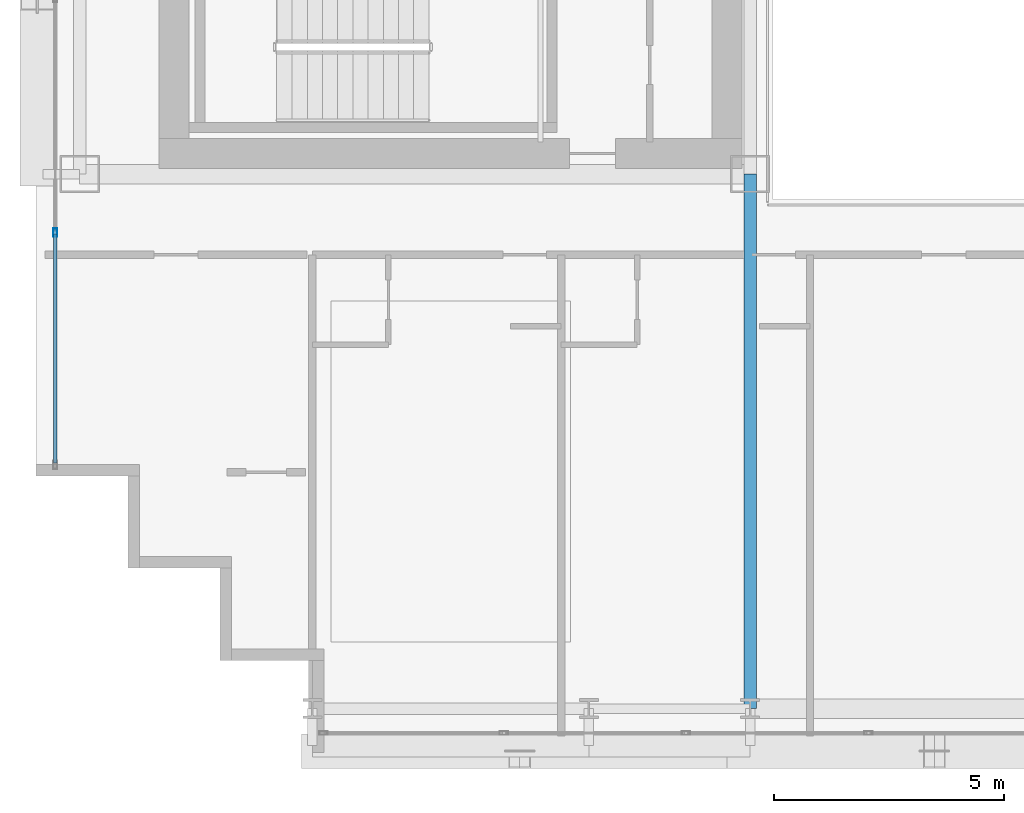
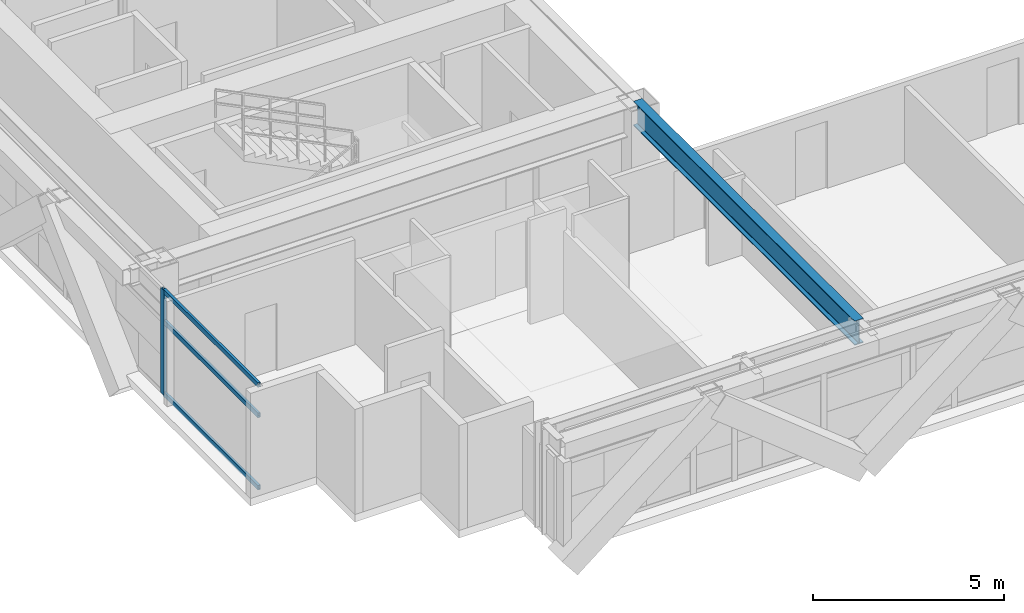
# One storey, part 3 of 35: 4 members, 1 beam, 1 element without a shape of its own.
"""IFC4 building model written with IfcOpenShell, lengths in metres."""

from ifc_helpers import new_model, si_unit, direction, frame, origin, origin_2d, place, context, subcontext, project, spatial, hollow_rectangle, i_section, extrude, source, transform, mapped, material, layer, layer_set, material_profile, profile_set, type_object, element, aggregate, save


model = new_model("IFC4")

# Units and contexts
model_context = context("Model", 3, precision=1e-05, world=origin(), true_north=direction((0.0, 1.0)))
body_context = subcontext(model_context, "Body", "Model", "MODEL_VIEW")
ifc_project = project(units=[si_unit("LENGTHUNIT", "METRE"), si_unit("AREAUNIT", "SQUARE_METRE"), si_unit("VOLUMEUNIT", "CUBIC_METRE"), si_unit("PLANEANGLEUNIT", "RADIAN"), si_unit("MASSUNIT", "GRAM", prefix="KILO")], contexts=[model_context])

# Site, building, storey
site_placement = place(None, origin())
site = spatial("IfcSite", under=ifc_project, at=site_placement, CompositionType="ELEMENT")
building_placement = place(site_placement, origin())
building = spatial("IfcBuilding", under=site, at=building_placement, Name="Ocotamira Hotel", CompositionType="ELEMENT")
storey_placement = place(building_placement, frame((0.0, 0.0, 118.800048828125)))
storey = spatial("IfcBuildingStorey", under=building, at=storey_placement, Name="L29", CompositionType="ELEMENT", Elevation=118.800048828125)

# Beam
ifc_material_1 = material(Name="Steel ASTM A992 Grade 50", Category="steel")
ifc_material_profile_1 = material_profile(ifc_material_1, i_section(OverallWidth=0.26611328125, OverallDepth=0.779052734375, WebThickness=0.0166015625, FlangeThickness=0.030029296875, FilletRadius=0.01806640625, at=origin_2d()), Name="W30X148")
ifc_profile_set_1 = profile_set([ifc_material_profile_1], Name="Steel ASTM A992 Grade 50")
beam_type = type_object("IfcBeamType", Name="BM-GIRD-W30X148", PredefinedType="BEAM", material=ifc_profile_set_1)
shared_shape_1 = source(origin(), body_context, "Body", "SweptSolid", [
    extrude(i_section(OverallWidth=0.26611328125, OverallDepth=0.779052734375, WebThickness=0.0166015625, FlangeThickness=0.030029296875, FilletRadius=0.01806640625, at=origin_2d()), origin(), (0.0, 0.0, 1.0), 11.60009765625),
])
beam_placement = place(storey_placement, frame((23.5, 2.949951171875, 2.970458984375), z_axis=(0.0, 1.0, 0.0), x_axis=(-1.0, 0.0, 0.0)))
element("IfcBeam", 1, at=beam_placement, inside=storey, type_object=beam_type, Name="L29 Beam X23.5 Y2.95-14.55", PredefinedType="BEAM", context=body_context, shape_type="MappedRepresentation", body=[
    mapped(shared_shape_1, transform((0.0, 0.0, 0.0), scale=1.0)),
])

# Curtain wall, members
ifc_material_2 = material(Name="Anodised pale-metal aluminium and solar glass", Category="aluminium")
ifc_layer = layer(ifc_material_2, 0.179931640625)
ifc_layer_set = layer_set([ifc_layer], Name="Anodised pale-metal aluminium and solar glass")
curtain_wall_type = type_object("IfcCurtainWallType", Name="CW-SYS3-Z2", PredefinedType="NOTDEFINED", material=ifc_layer_set)
curtain_wall_placement = place(storey_placement, origin())
curtain_wall = element("IfcCurtainWall", 2, at=curtain_wall_placement, inside=storey, type_object=curtain_wall_type, Name="L29 Curtain Wall CW-3 CW-L29-W", PredefinedType="NOTDEFINED")
ifc_material_3 = material(Name="Anodised pale-metal aluminium 6063-T6", Category="aluminium")
ifc_material_profile_2 = material_profile(ifc_material_3, hollow_rectangle(XDim=0.074951171875, YDim=0.14990234375, WallThickness=0.006103515625, at=origin_2d()), Name="HSS150X75X6")
ifc_profile_set_2 = profile_set([ifc_material_profile_2], Name="Anodised pale-metal aluminium 6063-T6")
member_type_1 = type_object("IfcMemberType", Name="CWT-150X75", PredefinedType="USERDEFINED", material=ifc_profile_set_2)
shared_shape_2 = source(origin(), body_context, "Body", "SweptSolid", [
    extrude(hollow_rectangle(XDim=0.074951171875, YDim=0.14990234375, WallThickness=0.006103515625, at=origin_2d()), origin(), (0.0, 0.0, 1.0), 4.965576171875),
])
member_1_placement = place(storey_placement, frame((8.419921875, 8.280029296875, 0.037353515625), z_axis=(0.0, 1.0, 0.0), x_axis=(-1.0, 0.0, 0.0)))
member_1 = element("IfcMember", 3, at=member_1_placement, type_object=member_type_1, Name="CW-3 transom 1.1", ObjectType="TRANSOM", PredefinedType="USERDEFINED", context=body_context, shape_type="MappedRepresentation", body=[
    mapped(shared_shape_2, transform((0.0, 0.0, 0.0), scale=1.0)),
])
member_2_placement = place(storey_placement, frame((8.419921875, 8.280029296875, 2.349853515625), z_axis=(0.0, 1.0, 0.0), x_axis=(-1.0, 0.0, 0.0)))
member_2 = element("IfcMember", 4, at=member_2_placement, type_object=member_type_1, Name="CW-3 transom 1.2", ObjectType="TRANSOM", PredefinedType="USERDEFINED", context=body_context, shape_type="MappedRepresentation", body=[
    mapped(shared_shape_2, transform((0.0, 0.0, 0.0), scale=1.0)),
])
member_3_placement = place(storey_placement, frame((8.419921875, 8.280029296875, 3.322509765625), z_axis=(0.0, 1.0, 0.0), x_axis=(-1.0, 0.0, 0.0)))
member_3 = element("IfcMember", 5, at=member_3_placement, type_object=member_type_1, Name="CW-3 transom 1.3", ObjectType="TRANSOM", PredefinedType="USERDEFINED", context=body_context, shape_type="MappedRepresentation", body=[
    mapped(shared_shape_2, transform((0.0, 0.0, 0.0), scale=1.0)),
])
ifc_material_profile_3 = material_profile(ifc_material_3, hollow_rectangle(XDim=0.080078125, YDim=0.179931640625, WallThickness=0.006103515625, at=origin_2d()), Name="HSS180X80X6")
ifc_profile_set_3 = profile_set([ifc_material_profile_3], Name="Anodised pale-metal aluminium 6063-T6")
member_type_2 = type_object("IfcMemberType", Name="CWM-180X75", PredefinedType="MULLION", material=ifc_profile_set_3)
shared_shape_3 = source(origin(), body_context, "Body", "SweptSolid", [
    extrude(hollow_rectangle(XDim=0.080078125, YDim=0.179931640625, WallThickness=0.006103515625, at=origin_2d()), origin(), (0.0, 0.0, 1.0), 3.35986328125),
])
member_4_placement = place(storey_placement, frame((8.419921875, 13.28564453125, 0.0), z_axis=(0.0, 0.0, 1.0), x_axis=(-1.0, 0.0, 0.0)))
member_4 = element("IfcMember", 6, at=member_4_placement, type_object=member_type_2, Name="CW-3 mullion 2", PredefinedType="MULLION", context=body_context, shape_type="MappedRepresentation", body=[
    mapped(shared_shape_3, transform((0.0, 0.0, 0.0), scale=1.0)),
])
aggregate(curtain_wall, [member_4, member_1, member_2, member_3])

save(model, "model.ifc")
